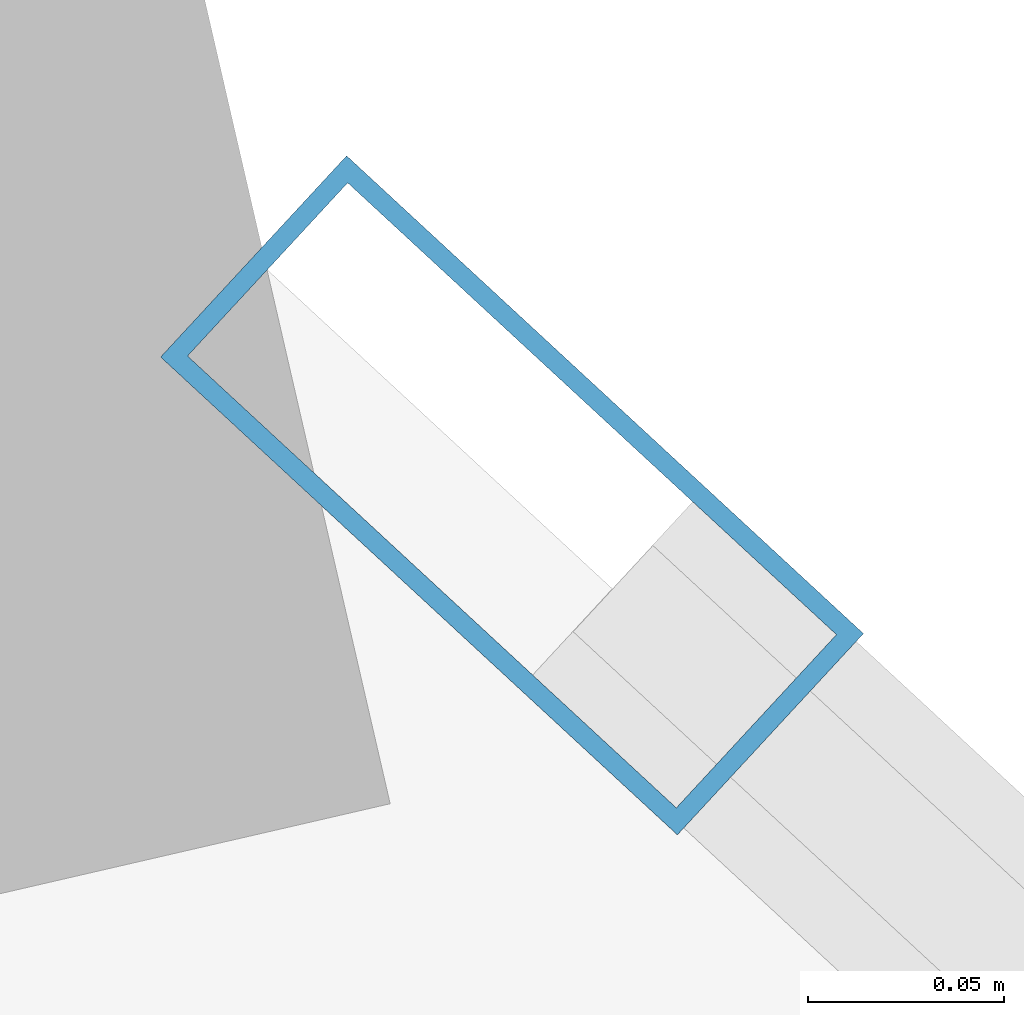
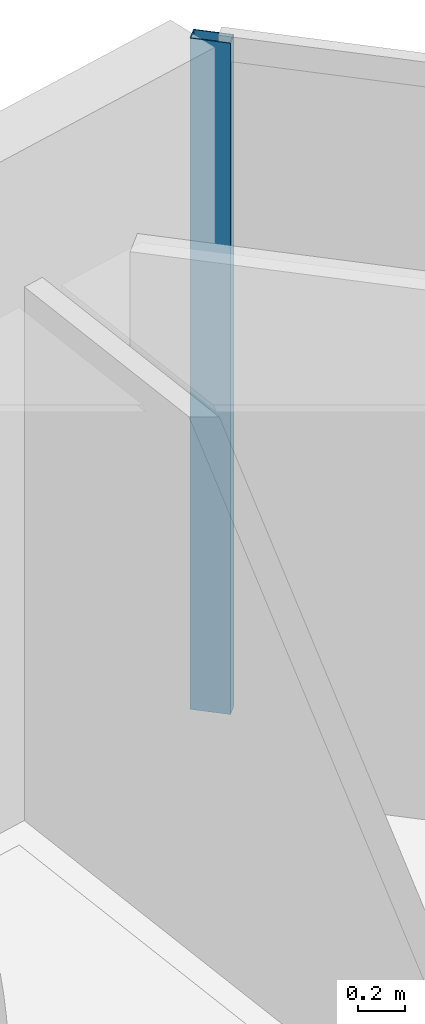
# One storey, part 16 of 23: 1 member, 1 element without a shape of its own.
"""IFC4 building model written with IfcOpenShell, lengths in metres."""

from ifc_helpers import new_model, si_unit, direction, frame, origin, origin_2d, place, context, subcontext, project, spatial, hollow_rectangle, extrude, material, layer, layer_set, material_profile, profile_set, type_object, element, aggregate, save


model = new_model("IFC4")

# Units and contexts
model_context = context("Model", 3, precision=1e-05, world=origin(), true_north=direction((0.0, 1.0)))
body_context = subcontext(model_context, "Body", "Model", "MODEL_VIEW")
ifc_project = project(units=[si_unit("LENGTHUNIT", "METRE"), si_unit("AREAUNIT", "SQUARE_METRE"), si_unit("VOLUMEUNIT", "CUBIC_METRE"), si_unit("PLANEANGLEUNIT", "RADIAN"), si_unit("MASSUNIT", "GRAM", prefix="KILO")], contexts=[model_context])

# Site, building, storey
site_placement = place(None, origin())
site = spatial("IfcSite", under=ifc_project, at=site_placement, CompositionType="ELEMENT")
building_placement = place(site_placement, origin())
building = spatial("IfcBuilding", under=site, at=building_placement, Name="Qianvela Tower", CompositionType="ELEMENT")
storey_placement = place(building_placement, frame((0.0, 0.0, 67.300048828125)))
storey = spatial("IfcBuildingStorey", under=building, at=storey_placement, Name="L16", CompositionType="ELEMENT", Elevation=67.300048828125)

# Curtain wall, member
ifc_material_1 = material(Name="Anodised Architectural Aluminium and Low-E Glass", Category="aluminium")
ifc_layer = layer(ifc_material_1, 0.179931640625)
ifc_layer_set = layer_set([ifc_layer], Name="Anodised Architectural Aluminium and Low-E Glass")
curtain_wall_type = type_object("IfcCurtainWallType", Name="CW-COLIV-Z12", PredefinedType="USERDEFINED", material=ifc_layer_set)
curtain_wall_placement = place(storey_placement, origin())
curtain_wall = element("IfcCurtainWall", 1, at=curtain_wall_placement, inside=storey, type_object=curtain_wall_type, Name="L16 CW-COLIV-Z12 Curtain Wall 02C", ObjectType="CURTAIN_WALL_SYSTEM", PredefinedType="USERDEFINED")
ifc_material_2 = material(Name="Anodised Architectural Aluminium 6063-T6", Category="aluminium")
ifc_material_profile = material_profile(ifc_material_2, hollow_rectangle(XDim=0.070068359375, YDim=0.179931640625, WallThickness=0.0048828125, at=origin_2d()), Name="ALU-MULL-70x180")
ifc_profile_set = profile_set([ifc_material_profile], Name="Anodised Architectural Aluminium 6063-T6")
member_type = type_object("IfcMemberType", Name="CW-COLIV-Z12-MULL", PredefinedType="MULLION", material=ifc_profile_set)
member_placement = place(storey_placement, frame((36.715087890625, 44.66259765625, 0.0), z_axis=(0.0, 0.0, 1.0), x_axis=(-0.678839197125, -0.734286963283, 0.0)))
member = element("IfcMember", 2, at=member_placement, type_object=member_type, Name="CW-3 mullion 2", PredefinedType="MULLION", context=body_context, shape_type="SweptSolid", body=[
    extrude(hollow_rectangle(XDim=0.070068359375, YDim=0.179931640625, WallThickness=0.0048828125, at=origin_2d()), origin(), (0.0, 0.0, 1.0), 3.52001953125),
])
aggregate(curtain_wall, [member])

save(model, "model.ifc")
